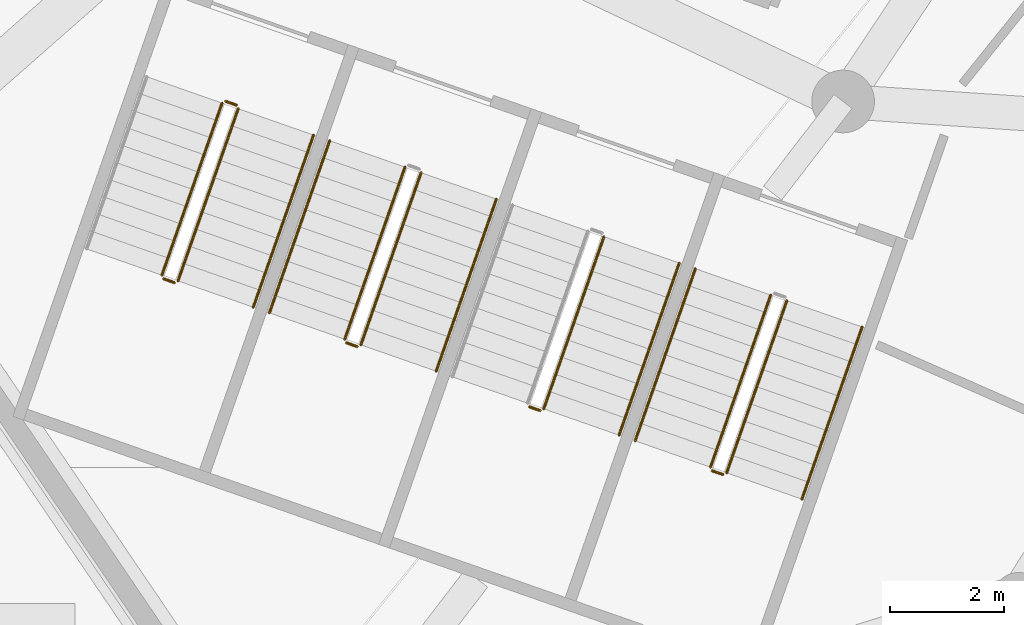
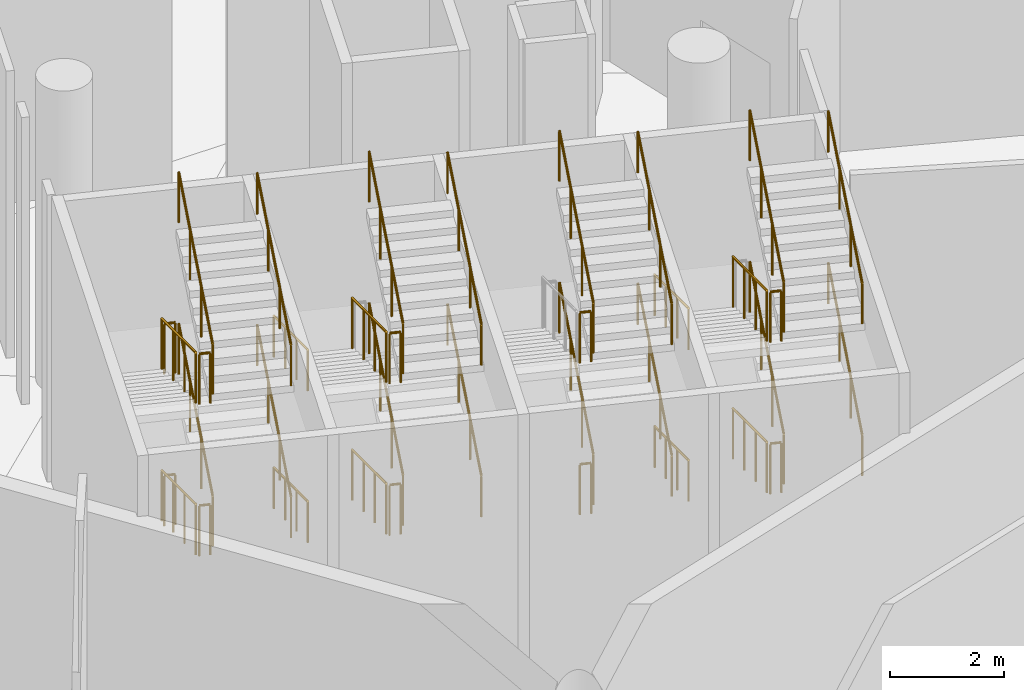
# One storey, part 190 of 255: 36 railings.
"""IFC4 building model written with IfcOpenShell, lengths in metres."""

from ifc_helpers import new_model, si_unit, direction, frame, origin, origin_2d, place, context, subcontext, project, spatial, circle, extrude, material, type_object, element, save


model = new_model("IFC4")

# Units and contexts
model_context = context("Model", 3, precision=1e-05, world=origin(), true_north=direction((0.0, 1.0)))
body_context = subcontext(model_context, "Body", "Model", "MODEL_VIEW")
ifc_project = project(units=[si_unit("LENGTHUNIT", "METRE"), si_unit("AREAUNIT", "SQUARE_METRE"), si_unit("VOLUMEUNIT", "CUBIC_METRE"), si_unit("PLANEANGLEUNIT", "RADIAN"), si_unit("MASSUNIT", "GRAM", prefix="KILO")], contexts=[model_context])

# Site, building, storey
site_placement = place(None, origin())
site = spatial("IfcSite", under=ifc_project, at=site_placement, CompositionType="ELEMENT")
building_placement = place(site_placement, origin())
building = spatial("IfcBuilding", under=site, at=building_placement, Name="Meseta Stadium", CompositionType="ELEMENT")
storey_placement = place(building_placement, origin())
storey = spatial("IfcBuildingStorey", under=building, at=storey_placement, Name="L00", CompositionType="ELEMENT", Elevation=0.0)

# Railings
ifc_material_1 = material(Name="Steel S355", Category="steel")
railing_type_1 = type_object("IfcRailingType", Name="Stair guard 1100", PredefinedType="GUARDRAIL", material=ifc_material_1)
railing_1_placement = place(storey_placement, frame((-65.421630859375, -89.608154296875, 0.147705078125)))
element("IfcRailing", 1, at=railing_1_placement, inside=storey, type_object=railing_type_1, Name="ST85 L00 guard 1", PredefinedType="GUARDRAIL", context=body_context, shape_type="SweptSolid", body=[
    extrude(circle(Radius=0.02392578125, at=origin_2d()), frame((0.0, 0.0, 1.076171875), z_axis=(-0.299858671601, -0.856976550022, 0.419137172986), x_axis=(0.943886898693, -0.330268863922, 0.0)), (0.0, 0.0, 1.0), 3.524658203125),
    extrude(circle(Radius=0.02099609375, at=origin_2d()), origin(), (0.0, 0.0, 1.0), 1.052001953125),
    extrude(circle(Radius=0.02099609375, at=origin_2d()), frame((-0.352294921875, -1.0068359375, 0.492431640625)), (0.0, 0.0, 1.0), 1.052001953125),
    extrude(circle(Radius=0.02099609375, at=origin_2d()), frame((-0.70458984375, -2.013671875, 0.98486328125)), (0.0, 0.0, 1.0), 1.052001953125),
    extrude(circle(Radius=0.02099609375, at=origin_2d()), frame((-1.056884765625, -3.0205078125, 1.477294921875)), (0.0, 0.0, 1.0), 1.052001953125),
])
railing_2_placement = place(storey_placement, frame((-66.44775390625, -92.692138671875, 1.625)))
element("IfcRailing", 2, at=railing_2_placement, inside=storey, type_object=railing_type_1, Name="ST85 L00 guard 2", PredefinedType="GUARDRAIL", context=body_context, shape_type="SweptSolid", body=[
    extrude(circle(Radius=0.02392578125, at=origin_2d()), frame((0.0, 0.0, 1.076171875), z_axis=(0.943686935281, -0.330839792317, 0.0), x_axis=(0.330839792317, 0.943686935281, 0.0)), (0.0, 0.0, 1.0), 0.199951171875),
    extrude(circle(Radius=0.02099609375, at=origin_2d()), origin(), (0.0, 0.0, 1.0), 1.052001953125),
    extrude(circle(Radius=0.02099609375, at=origin_2d()), frame((0.188720703125, -0.066162109375, 0.0)), (0.0, 0.0, 1.0), 1.052001953125),
])
railing_3_placement = place(storey_placement, frame((-66.1953125, -92.7275390625, 1.772705078125)))
element("IfcRailing", 3, at=railing_3_placement, inside=storey, type_object=railing_type_1, Name="ST85 L00 guard 3", PredefinedType="GUARDRAIL", context=body_context, shape_type="SweptSolid", body=[
    extrude(circle(Radius=0.02392578125, at=origin_2d()), frame((0.0, 0.0, 1.076171875), z_axis=(0.299876472244, 0.856958151566, 0.419162054412), x_axis=(-0.943878576031, 0.330292648585, 0.0)), (0.0, 0.0, 1.0), 3.5244140625),
    extrude(circle(Radius=0.02099609375, at=origin_2d()), origin(), (0.0, 0.0, 1.0), 1.052001953125),
    extrude(circle(Radius=0.02099609375, at=origin_2d()), frame((0.352294921875, 1.0068359375, 0.492431640625)), (0.0, 0.0, 1.0), 1.052001953125),
    extrude(circle(Radius=0.02099609375, at=origin_2d()), frame((0.70458984375, 2.013427734375, 0.98486328125)), (0.0, 0.0, 1.0), 1.052001953125),
    extrude(circle(Radius=0.02099609375, at=origin_2d()), frame((1.056884765625, 3.020263671875, 1.477294921875)), (0.0, 0.0, 1.0), 1.052001953125),
])
railing_4_placement = place(storey_placement, frame((-65.35791015625, -89.577392578125, 3.25)))
element("IfcRailing", 4, at=railing_4_placement, inside=storey, type_object=railing_type_1, Name="ST85 L00 guard 4", PredefinedType="GUARDRAIL", context=body_context, shape_type="SweptSolid", body=[
    extrude(circle(Radius=0.02392578125, at=origin_2d()), frame((0.0, 0.0, 1.076171875), z_axis=(0.943686935281, -0.330839792317, 0.0), x_axis=(0.330839792317, 0.943686935281, 0.0)), (0.0, 0.0, 1.0), 0.199951171875),
    extrude(circle(Radius=0.02099609375, at=origin_2d()), origin(), (0.0, 0.0, 1.0), 1.052001953125),
    extrude(circle(Radius=0.02099609375, at=origin_2d()), frame((0.188720703125, -0.066162109375, 0.0)), (0.0, 0.0, 1.0), 1.052001953125),
])
railing_5_placement = place(storey_placement, frame((-65.421630859375, -89.608154296875, 3.397705078125)))
element("IfcRailing", 5, at=railing_5_placement, inside=storey, type_object=railing_type_1, Name="ST85 L00 guard 5", PredefinedType="GUARDRAIL", context=body_context, shape_type="SweptSolid", body=[
    extrude(circle(Radius=0.02392578125, at=origin_2d()), frame((0.0, 0.0, 1.076171875), z_axis=(-0.299858671601, -0.856976550022, 0.419137172986), x_axis=(0.943886898693, -0.330268863922, 0.0)), (0.0, 0.0, 1.0), 3.524658203125),
    extrude(circle(Radius=0.02099609375, at=origin_2d()), origin(), (0.0, 0.0, 1.0), 1.052001953125),
    extrude(circle(Radius=0.02099609375, at=origin_2d()), frame((-0.352294921875, -1.0068359375, 0.492431640625)), (0.0, 0.0, 1.0), 1.052001953125),
    extrude(circle(Radius=0.02099609375, at=origin_2d()), frame((-0.70458984375, -2.013671875, 0.98486328125)), (0.0, 0.0, 1.0), 1.052001953125),
    extrude(circle(Radius=0.02099609375, at=origin_2d()), frame((-1.056884765625, -3.0205078125, 1.477294921875)), (0.0, 0.0, 1.0), 1.052001953125),
])
railing_6_placement = place(storey_placement, frame((-66.44775390625, -92.692138671875, 4.875)))
element("IfcRailing", 6, at=railing_6_placement, inside=storey, type_object=railing_type_1, Name="ST85 L00 guard 6", PredefinedType="GUARDRAIL", context=body_context, shape_type="SweptSolid", body=[
    extrude(circle(Radius=0.02392578125, at=origin_2d()), frame((0.0, 0.0, 1.076171875), z_axis=(0.943686935281, -0.330839792317, 0.0), x_axis=(0.330839792317, 0.943686935281, 0.0)), (0.0, 0.0, 1.0), 0.199951171875),
    extrude(circle(Radius=0.02099609375, at=origin_2d()), origin(), (0.0, 0.0, 1.0), 1.052001953125),
    extrude(circle(Radius=0.02099609375, at=origin_2d()), frame((0.188720703125, -0.066162109375, 0.0)), (0.0, 0.0, 1.0), 1.052001953125),
])
railing_7_placement = place(storey_placement, frame((-66.1953125, -92.7275390625, 5.022705078125)))
element("IfcRailing", 7, at=railing_7_placement, inside=storey, type_object=railing_type_1, Name="ST85 L00 guard 7", PredefinedType="GUARDRAIL", context=body_context, shape_type="SweptSolid", body=[
    extrude(circle(Radius=0.02392578125, at=origin_2d()), frame((0.0, 0.0, 1.076171875), z_axis=(0.299876472244, 0.856958151566, 0.419162054412), x_axis=(-0.943878576031, 0.330292648585, 0.0)), (0.0, 0.0, 1.0), 3.5244140625),
    extrude(circle(Radius=0.02099609375, at=origin_2d()), origin(), (0.0, 0.0, 1.0), 1.052001953125),
    extrude(circle(Radius=0.02099609375, at=origin_2d()), frame((0.352294921875, 1.0068359375, 0.492431640625)), (0.0, 0.0, 1.0), 1.052001953125),
    extrude(circle(Radius=0.02099609375, at=origin_2d()), frame((0.70458984375, 2.013427734375, 0.98486328125)), (0.0, 0.0, 1.0), 1.052001953125),
    extrude(circle(Radius=0.02099609375, at=origin_2d()), frame((1.056884765625, 3.020263671875, 1.477294921875)), (0.0, 0.0, 1.0), 1.052001953125),
])
railing_8_placement = place(storey_placement, frame((-65.35791015625, -89.577392578125, 0.0)))
element("IfcRailing", 8, at=railing_8_placement, inside=storey, type_object=railing_type_1, Name="ST85 L00 guard 8", PredefinedType="GUARDRAIL", context=body_context, shape_type="SweptSolid", body=[
    extrude(circle(Radius=0.02392578125, at=origin_2d()), frame((0.0, 0.0, 1.076171875), z_axis=(0.943686935281, -0.330839792317, 0.0), x_axis=(0.330839792317, 0.943686935281, 0.0)), (0.0, 0.0, 1.0), 0.199951171875),
    extrude(circle(Radius=0.02099609375, at=origin_2d()), origin(), (0.0, 0.0, 1.0), 1.052001953125),
    extrude(circle(Radius=0.02099609375, at=origin_2d()), frame((0.188720703125, -0.066162109375, 0.0)), (0.0, 0.0, 1.0), 1.052001953125),
])
railing_9_placement = place(storey_placement, frame((-62.21240234375, -90.73095703125, 0.147705078125)))
element("IfcRailing", 9, at=railing_9_placement, inside=storey, type_object=railing_type_1, Name="ST86 L00 guard 1", PredefinedType="GUARDRAIL", context=body_context, shape_type="SweptSolid", body=[
    extrude(circle(Radius=0.02392578125, at=origin_2d()), frame((0.0, 0.0, 1.076171875), z_axis=(-0.299858671601, -0.856976550022, 0.419137172986), x_axis=(0.943886898693, -0.330268863922, 0.0)), (0.0, 0.0, 1.0), 3.524658203125),
    extrude(circle(Radius=0.02099609375, at=origin_2d()), origin(), (0.0, 0.0, 1.0), 1.052001953125),
    extrude(circle(Radius=0.02099609375, at=origin_2d()), frame((-0.352294921875, -1.0068359375, 0.492431640625)), (0.0, 0.0, 1.0), 1.052001953125),
    extrude(circle(Radius=0.02099609375, at=origin_2d()), frame((-0.70458984375, -2.013671875, 0.98486328125)), (0.0, 0.0, 1.0), 1.052001953125),
    extrude(circle(Radius=0.02099609375, at=origin_2d()), frame((-1.056884765625, -3.0205078125, 1.477294921875)), (0.0, 0.0, 1.0), 1.052001953125),
])
railing_10_placement = place(storey_placement, frame((-63.238525390625, -93.815185546875, 1.625)))
element("IfcRailing", 10, at=railing_10_placement, inside=storey, type_object=railing_type_1, Name="ST86 L00 guard 2", PredefinedType="GUARDRAIL", context=body_context, shape_type="SweptSolid", body=[
    extrude(circle(Radius=0.02392578125, at=origin_2d()), frame((0.0, 0.0, 1.076171875), z_axis=(0.943686935281, -0.330839792317, 0.0), x_axis=(0.330839792317, 0.943686935281, 0.0)), (0.0, 0.0, 1.0), 0.199951171875),
    extrude(circle(Radius=0.02099609375, at=origin_2d()), origin(), (0.0, 0.0, 1.0), 1.052001953125),
    extrude(circle(Radius=0.02099609375, at=origin_2d()), frame((0.188720703125, -0.066162109375, 0.0)), (0.0, 0.0, 1.0), 1.052001953125),
])
railing_11_placement = place(storey_placement, frame((-62.986083984375, -93.8505859375, 1.772705078125)))
element("IfcRailing", 11, at=railing_11_placement, inside=storey, type_object=railing_type_1, Name="ST86 L00 guard 3", PredefinedType="GUARDRAIL", context=body_context, shape_type="SweptSolid", body=[
    extrude(circle(Radius=0.02392578125, at=origin_2d()), frame((0.0, 0.0, 1.076171875), z_axis=(0.299858671601, 0.856976550022, 0.419137172986), x_axis=(-0.943886898693, 0.330268863922, 0.0)), (0.0, 0.0, 1.0), 3.524658203125),
    extrude(circle(Radius=0.02099609375, at=origin_2d()), origin(), (0.0, 0.0, 1.0), 1.052001953125),
    extrude(circle(Radius=0.02099609375, at=origin_2d()), frame((0.352294921875, 1.0068359375, 0.492431640625)), (0.0, 0.0, 1.0), 1.052001953125),
    extrude(circle(Radius=0.02099609375, at=origin_2d()), frame((0.70458984375, 2.013671875, 0.98486328125)), (0.0, 0.0, 1.0), 1.052001953125),
    extrude(circle(Radius=0.02099609375, at=origin_2d()), frame((1.056884765625, 3.0205078125, 1.477294921875)), (0.0, 0.0, 1.0), 1.052001953125),
])
railing_12_placement = place(storey_placement, frame((-62.21240234375, -90.73095703125, 3.397705078125)))
element("IfcRailing", 12, at=railing_12_placement, inside=storey, type_object=railing_type_1, Name="ST86 L00 guard 5", PredefinedType="GUARDRAIL", context=body_context, shape_type="SweptSolid", body=[
    extrude(circle(Radius=0.02392578125, at=origin_2d()), frame((0.0, 0.0, 1.076171875), z_axis=(-0.299858671601, -0.856976550022, 0.419137172986), x_axis=(0.943886898693, -0.330268863922, 0.0)), (0.0, 0.0, 1.0), 3.524658203125),
    extrude(circle(Radius=0.02099609375, at=origin_2d()), origin(), (0.0, 0.0, 1.0), 1.052001953125),
    extrude(circle(Radius=0.02099609375, at=origin_2d()), frame((-0.352294921875, -1.0068359375, 0.492431640625)), (0.0, 0.0, 1.0), 1.052001953125),
    extrude(circle(Radius=0.02099609375, at=origin_2d()), frame((-0.70458984375, -2.013671875, 0.98486328125)), (0.0, 0.0, 1.0), 1.052001953125),
    extrude(circle(Radius=0.02099609375, at=origin_2d()), frame((-1.056884765625, -3.0205078125, 1.477294921875)), (0.0, 0.0, 1.0), 1.052001953125),
])
railing_13_placement = place(storey_placement, frame((-63.238525390625, -93.815185546875, 4.875)))
element("IfcRailing", 13, at=railing_13_placement, inside=storey, type_object=railing_type_1, Name="ST86 L00 guard 6", PredefinedType="GUARDRAIL", context=body_context, shape_type="SweptSolid", body=[
    extrude(circle(Radius=0.02392578125, at=origin_2d()), frame((0.0, 0.0, 1.076171875), z_axis=(0.943686935281, -0.330839792317, 0.0), x_axis=(0.330839792317, 0.943686935281, 0.0)), (0.0, 0.0, 1.0), 0.199951171875),
    extrude(circle(Radius=0.02099609375, at=origin_2d()), origin(), (0.0, 0.0, 1.0), 1.052001953125),
    extrude(circle(Radius=0.02099609375, at=origin_2d()), frame((0.188720703125, -0.066162109375, 0.0)), (0.0, 0.0, 1.0), 1.052001953125),
])
railing_14_placement = place(storey_placement, frame((-62.986083984375, -93.8505859375, 5.022705078125)))
element("IfcRailing", 14, at=railing_14_placement, inside=storey, type_object=railing_type_1, Name="ST86 L00 guard 7", PredefinedType="GUARDRAIL", context=body_context, shape_type="SweptSolid", body=[
    extrude(circle(Radius=0.02392578125, at=origin_2d()), frame((0.0, 0.0, 1.076171875), z_axis=(0.299858671601, 0.856976550022, 0.419137172986), x_axis=(-0.943886898693, 0.330268863922, 0.0)), (0.0, 0.0, 1.0), 3.524658203125),
    extrude(circle(Radius=0.02099609375, at=origin_2d()), origin(), (0.0, 0.0, 1.0), 1.052001953125),
    extrude(circle(Radius=0.02099609375, at=origin_2d()), frame((0.352294921875, 1.0068359375, 0.492431640625)), (0.0, 0.0, 1.0), 1.052001953125),
    extrude(circle(Radius=0.02099609375, at=origin_2d()), frame((0.70458984375, 2.013671875, 0.98486328125)), (0.0, 0.0, 1.0), 1.052001953125),
    extrude(circle(Radius=0.02099609375, at=origin_2d()), frame((1.056884765625, 3.0205078125, 1.477294921875)), (0.0, 0.0, 1.0), 1.052001953125),
])
railing_15_placement = place(storey_placement, frame((-60.029296875, -94.938232421875, 1.625)))
element("IfcRailing", 15, at=railing_15_placement, inside=storey, type_object=railing_type_1, Name="ST87 L00 guard 2", PredefinedType="GUARDRAIL", context=body_context, shape_type="SweptSolid", body=[
    extrude(circle(Radius=0.02392578125, at=origin_2d()), frame((0.0, 0.0, 1.076171875), z_axis=(0.944067610699, -0.329751946816, 0.0), x_axis=(0.329751946816, 0.944067610699, 0.0)), (0.0, 0.0, 1.0), 0.199951171875),
    extrude(circle(Radius=0.02099609375, at=origin_2d()), origin(), (0.0, 0.0, 1.0), 1.052001953125),
    extrude(circle(Radius=0.02099609375, at=origin_2d()), frame((0.188720703125, -0.06591796875, 0.0)), (0.0, 0.0, 1.0), 1.052001953125),
])
railing_16_placement = place(storey_placement, frame((-59.77685546875, -94.9736328125, 1.772705078125)))
element("IfcRailing", 16, at=railing_16_placement, inside=storey, type_object=railing_type_1, Name="ST87 L00 guard 3", PredefinedType="GUARDRAIL", context=body_context, shape_type="SweptSolid", body=[
    extrude(circle(Radius=0.02392578125, at=origin_2d()), frame((0.0, 0.0, 1.076171875), z_axis=(0.299858671601, 0.856976550022, 0.419137172986), x_axis=(-0.943886898693, 0.330268863922, 0.0)), (0.0, 0.0, 1.0), 3.524658203125),
    extrude(circle(Radius=0.02099609375, at=origin_2d()), origin(), (0.0, 0.0, 1.0), 1.052001953125),
    extrude(circle(Radius=0.02099609375, at=origin_2d()), frame((0.352294921875, 1.0068359375, 0.492431640625)), (0.0, 0.0, 1.0), 1.052001953125),
    extrude(circle(Radius=0.02099609375, at=origin_2d()), frame((0.70458984375, 2.013671875, 0.98486328125)), (0.0, 0.0, 1.0), 1.052001953125),
    extrude(circle(Radius=0.02099609375, at=origin_2d()), frame((1.056884765625, 3.0205078125, 1.477294921875)), (0.0, 0.0, 1.0), 1.052001953125),
])
railing_17_placement = place(storey_placement, frame((-60.029296875, -94.938232421875, 4.875)))
element("IfcRailing", 17, at=railing_17_placement, inside=storey, type_object=railing_type_1, Name="ST87 L00 guard 6", PredefinedType="GUARDRAIL", context=body_context, shape_type="SweptSolid", body=[
    extrude(circle(Radius=0.02392578125, at=origin_2d()), frame((0.0, 0.0, 1.076171875), z_axis=(0.944067610699, -0.329751946816, 0.0), x_axis=(0.329751946816, 0.944067610699, 0.0)), (0.0, 0.0, 1.0), 0.199951171875),
    extrude(circle(Radius=0.02099609375, at=origin_2d()), origin(), (0.0, 0.0, 1.0), 1.052001953125),
    extrude(circle(Radius=0.02099609375, at=origin_2d()), frame((0.188720703125, -0.06591796875, 0.0)), (0.0, 0.0, 1.0), 1.052001953125),
])
railing_18_placement = place(storey_placement, frame((-59.77685546875, -94.9736328125, 5.022705078125)))
element("IfcRailing", 18, at=railing_18_placement, inside=storey, type_object=railing_type_1, Name="ST87 L00 guard 7", PredefinedType="GUARDRAIL", context=body_context, shape_type="SweptSolid", body=[
    extrude(circle(Radius=0.02392578125, at=origin_2d()), frame((0.0, 0.0, 1.076171875), z_axis=(0.299858671601, 0.856976550022, 0.419137172986), x_axis=(-0.943886898693, 0.330268863922, 0.0)), (0.0, 0.0, 1.0), 3.524658203125),
    extrude(circle(Radius=0.02099609375, at=origin_2d()), origin(), (0.0, 0.0, 1.0), 1.052001953125),
    extrude(circle(Radius=0.02099609375, at=origin_2d()), frame((0.352294921875, 1.0068359375, 0.492431640625)), (0.0, 0.0, 1.0), 1.052001953125),
    extrude(circle(Radius=0.02099609375, at=origin_2d()), frame((0.70458984375, 2.013671875, 0.98486328125)), (0.0, 0.0, 1.0), 1.052001953125),
    extrude(circle(Radius=0.02099609375, at=origin_2d()), frame((1.056884765625, 3.0205078125, 1.477294921875)), (0.0, 0.0, 1.0), 1.052001953125),
])
railing_19_placement = place(storey_placement, frame((-55.7939453125, -92.97705078125, 0.147705078125)))
element("IfcRailing", 19, at=railing_19_placement, inside=storey, type_object=railing_type_1, Name="ST88 L00 guard 1", PredefinedType="GUARDRAIL", context=body_context, shape_type="SweptSolid", body=[
    extrude(circle(Radius=0.02392578125, at=origin_2d()), frame((0.0, 0.0, 1.076171875), z_axis=(-0.299876472244, -0.856958151566, 0.419162054412), x_axis=(0.943878576031, -0.330292648585, 0.0)), (0.0, 0.0, 1.0), 3.5244140625),
    extrude(circle(Radius=0.02099609375, at=origin_2d()), origin(), (0.0, 0.0, 1.0), 1.052001953125),
    extrude(circle(Radius=0.02099609375, at=origin_2d()), frame((-0.352294921875, -1.0068359375, 0.492431640625)), (0.0, 0.0, 1.0), 1.052001953125),
    extrude(circle(Radius=0.02099609375, at=origin_2d()), frame((-0.70458984375, -2.013427734375, 0.98486328125)), (0.0, 0.0, 1.0), 1.052001953125),
    extrude(circle(Radius=0.02099609375, at=origin_2d()), frame((-1.056884765625, -3.020263671875, 1.477294921875)), (0.0, 0.0, 1.0), 1.052001953125),
])
railing_20_placement = place(storey_placement, frame((-56.8203125, -96.06103515625, 1.625)))
element("IfcRailing", 20, at=railing_20_placement, inside=storey, type_object=railing_type_1, Name="ST88 L00 guard 2", PredefinedType="GUARDRAIL", context=body_context, shape_type="SweptSolid", body=[
    extrude(circle(Radius=0.02392578125, at=origin_2d()), frame((0.0, 0.0, 1.076171875), z_axis=(0.943820328543, -0.330459055601, 0.0), x_axis=(0.330459055601, 0.943820328543, 0.0)), (0.0, 0.0, 1.0), 0.2001953125),
    extrude(circle(Radius=0.02099609375, at=origin_2d()), origin(), (0.0, 0.0, 1.0), 1.052001953125),
    extrude(circle(Radius=0.02099609375, at=origin_2d()), frame((0.18896484375, -0.066162109375, 0.0)), (0.0, 0.0, 1.0), 1.052001953125),
])
railing_21_placement = place(storey_placement, frame((-56.567626953125, -96.096435546875, 1.772705078125)))
element("IfcRailing", 21, at=railing_21_placement, inside=storey, type_object=railing_type_1, Name="ST88 L00 guard 3", PredefinedType="GUARDRAIL", context=body_context, shape_type="SweptSolid", body=[
    extrude(circle(Radius=0.02392578125, at=origin_2d()), frame((0.0, 0.0, 1.076171875), z_axis=(0.299876472244, 0.856958151566, 0.419162054412), x_axis=(-0.943878576031, 0.330292648585, 0.0)), (0.0, 0.0, 1.0), 3.5244140625),
    extrude(circle(Radius=0.02099609375, at=origin_2d()), origin(), (0.0, 0.0, 1.0), 1.052001953125),
    extrude(circle(Radius=0.02099609375, at=origin_2d()), frame((0.352294921875, 1.0068359375, 0.492431640625)), (0.0, 0.0, 1.0), 1.052001953125),
    extrude(circle(Radius=0.02099609375, at=origin_2d()), frame((0.70458984375, 2.013427734375, 0.98486328125)), (0.0, 0.0, 1.0), 1.052001953125),
    extrude(circle(Radius=0.02099609375, at=origin_2d()), frame((1.056884765625, 3.020263671875, 1.477294921875)), (0.0, 0.0, 1.0), 1.052001953125),
])
railing_22_placement = place(storey_placement, frame((-55.7939453125, -92.97705078125, 3.397705078125)))
element("IfcRailing", 22, at=railing_22_placement, inside=storey, type_object=railing_type_1, Name="ST88 L00 guard 5", PredefinedType="GUARDRAIL", context=body_context, shape_type="SweptSolid", body=[
    extrude(circle(Radius=0.02392578125, at=origin_2d()), frame((0.0, 0.0, 1.076171875), z_axis=(-0.299876472244, -0.856958151566, 0.419162054412), x_axis=(0.943878576031, -0.330292648585, 0.0)), (0.0, 0.0, 1.0), 3.5244140625),
    extrude(circle(Radius=0.02099609375, at=origin_2d()), origin(), (0.0, 0.0, 1.0), 1.052001953125),
    extrude(circle(Radius=0.02099609375, at=origin_2d()), frame((-0.352294921875, -1.0068359375, 0.492431640625)), (0.0, 0.0, 1.0), 1.052001953125),
    extrude(circle(Radius=0.02099609375, at=origin_2d()), frame((-0.70458984375, -2.013427734375, 0.98486328125)), (0.0, 0.0, 1.0), 1.052001953125),
    extrude(circle(Radius=0.02099609375, at=origin_2d()), frame((-1.056884765625, -3.020263671875, 1.477294921875)), (0.0, 0.0, 1.0), 1.052001953125),
])
railing_23_placement = place(storey_placement, frame((-56.8203125, -96.06103515625, 4.875)))
element("IfcRailing", 23, at=railing_23_placement, inside=storey, type_object=railing_type_1, Name="ST88 L00 guard 6", PredefinedType="GUARDRAIL", context=body_context, shape_type="SweptSolid", body=[
    extrude(circle(Radius=0.02392578125, at=origin_2d()), frame((0.0, 0.0, 1.076171875), z_axis=(0.943820328543, -0.330459055601, 0.0), x_axis=(0.330459055601, 0.943820328543, 0.0)), (0.0, 0.0, 1.0), 0.2001953125),
    extrude(circle(Radius=0.02099609375, at=origin_2d()), origin(), (0.0, 0.0, 1.0), 1.052001953125),
    extrude(circle(Radius=0.02099609375, at=origin_2d()), frame((0.18896484375, -0.066162109375, 0.0)), (0.0, 0.0, 1.0), 1.052001953125),
])
railing_24_placement = place(storey_placement, frame((-56.567626953125, -96.096435546875, 5.022705078125)))
element("IfcRailing", 24, at=railing_24_placement, inside=storey, type_object=railing_type_1, Name="ST88 L00 guard 7", PredefinedType="GUARDRAIL", context=body_context, shape_type="SweptSolid", body=[
    extrude(circle(Radius=0.02392578125, at=origin_2d()), frame((0.0, 0.0, 1.076171875), z_axis=(0.299876472244, 0.856958151566, 0.419162054412), x_axis=(-0.943878576031, 0.330292648585, 0.0)), (0.0, 0.0, 1.0), 3.5244140625),
    extrude(circle(Radius=0.02099609375, at=origin_2d()), origin(), (0.0, 0.0, 1.0), 1.052001953125),
    extrude(circle(Radius=0.02099609375, at=origin_2d()), frame((0.352294921875, 1.0068359375, 0.492431640625)), (0.0, 0.0, 1.0), 1.052001953125),
    extrude(circle(Radius=0.02099609375, at=origin_2d()), frame((0.70458984375, 2.013427734375, 0.98486328125)), (0.0, 0.0, 1.0), 1.052001953125),
    extrude(circle(Radius=0.02099609375, at=origin_2d()), frame((1.056884765625, 3.020263671875, 1.477294921875)), (0.0, 0.0, 1.0), 1.052001953125),
])
ifc_material_2 = material(Name="Steel S355", Category="steel")
railing_type_2 = type_object("IfcRailingType", Name="Stair handrail 900", PredefinedType="HANDRAIL", material=ifc_material_2)
for number, where, name in (
    (25, (-64.8740234375, -93.18994140625, 1.772705078125), "ST85 L00 handrail 2"),
    (26, (-64.8740234375, -93.18994140625, 5.022705078125), "ST85 L00 handrail 4"),
):
    element("IfcRailing", number, at=place(storey_placement, frame(where)), inside=storey, type_object=railing_type_2, Name=name, PredefinedType="HANDRAIL", context=body_context, shape_type="SweptSolid", body=[
        extrude(circle(Radius=0.02392578125, at=origin_2d()), frame((0.0, 0.0, 0.8759765625), z_axis=(0.299939512509, 0.856940348556, 0.419153346465), x_axis=(-0.943854787913, 0.330360620133, 0.0)), (0.0, 0.0, 1.0), 3.5244140625),
        extrude(circle(Radius=0.02099609375, at=origin_2d()), origin(), (0.0, 0.0, 1.0), 0.851806640625),
        extrude(circle(Radius=0.02099609375, at=origin_2d()), frame((0.352294921875, 1.0068359375, 0.492431640625)), (0.0, 0.0, 1.0), 0.851806640625),
        extrude(circle(Radius=0.02099609375, at=origin_2d()), frame((0.704833984375, 2.013427734375, 0.98486328125)), (0.0, 0.0, 1.0), 0.851806640625),
        extrude(circle(Radius=0.02099609375, at=origin_2d()), frame((1.05712890625, 3.020263671875, 1.477294921875)), (0.0, 0.0, 1.0), 0.851806640625),
    ])
railing_25_placement = place(storey_placement, frame((-63.533935546875, -90.268798828125, 0.147705078125)))
element("IfcRailing", 27, at=railing_25_placement, inside=storey, type_object=railing_type_2, Name="ST86 L00 handrail 1", PredefinedType="HANDRAIL", context=body_context, shape_type="SweptSolid", body=[
    extrude(circle(Radius=0.02392578125, at=origin_2d()), frame((0.0, 0.0, 0.8759765625), z_axis=(-0.299876472244, -0.856958151566, 0.419162054412), x_axis=(0.943878576031, -0.330292648585, 0.0)), (0.0, 0.0, 1.0), 3.5244140625),
    extrude(circle(Radius=0.02099609375, at=origin_2d()), origin(), (0.0, 0.0, 1.0), 0.851806640625),
    extrude(circle(Radius=0.02099609375, at=origin_2d()), frame((-0.352294921875, -1.0068359375, 0.492431640625)), (0.0, 0.0, 1.0), 0.851806640625),
    extrude(circle(Radius=0.02099609375, at=origin_2d()), frame((-0.70458984375, -2.013427734375, 0.98486328125)), (0.0, 0.0, 1.0), 0.851806640625),
    extrude(circle(Radius=0.02099609375, at=origin_2d()), frame((-1.056884765625, -3.020263671875, 1.477294921875)), (0.0, 0.0, 1.0), 0.851806640625),
])
railing_26_placement = place(storey_placement, frame((-61.664794921875, -94.31298828125, 1.772705078125)))
element("IfcRailing", 28, at=railing_26_placement, inside=storey, type_object=railing_type_2, Name="ST86 L00 handrail 2", PredefinedType="HANDRAIL", context=body_context, shape_type="SweptSolid", body=[
    extrude(circle(Radius=0.02392578125, at=origin_2d()), frame((0.0, 0.0, 0.8759765625), z_axis=(0.299858671601, 0.856976550022, 0.419137172986), x_axis=(-0.943886898693, 0.330268863922, 0.0)), (0.0, 0.0, 1.0), 3.524658203125),
    extrude(circle(Radius=0.02099609375, at=origin_2d()), origin(), (0.0, 0.0, 1.0), 0.851806640625),
    extrude(circle(Radius=0.02099609375, at=origin_2d()), frame((0.352294921875, 1.0068359375, 0.492431640625)), (0.0, 0.0, 1.0), 0.851806640625),
    extrude(circle(Radius=0.02099609375, at=origin_2d()), frame((0.70458984375, 2.013671875, 0.98486328125)), (0.0, 0.0, 1.0), 0.851806640625),
    extrude(circle(Radius=0.02099609375, at=origin_2d()), frame((1.056884765625, 3.0205078125, 1.477294921875)), (0.0, 0.0, 1.0), 0.851806640625),
])
railing_27_placement = place(storey_placement, frame((-63.533935546875, -90.268798828125, 3.397705078125)))
element("IfcRailing", 29, at=railing_27_placement, inside=storey, type_object=railing_type_2, Name="ST86 L00 handrail 3", PredefinedType="HANDRAIL", context=body_context, shape_type="SweptSolid", body=[
    extrude(circle(Radius=0.02392578125, at=origin_2d()), frame((0.0, 0.0, 0.8759765625), z_axis=(-0.299876472244, -0.856958151566, 0.419162054412), x_axis=(0.943878576031, -0.330292648585, 0.0)), (0.0, 0.0, 1.0), 3.5244140625),
    extrude(circle(Radius=0.02099609375, at=origin_2d()), origin(), (0.0, 0.0, 1.0), 0.851806640625),
    extrude(circle(Radius=0.02099609375, at=origin_2d()), frame((-0.352294921875, -1.0068359375, 0.492431640625)), (0.0, 0.0, 1.0), 0.851806640625),
    extrude(circle(Radius=0.02099609375, at=origin_2d()), frame((-0.70458984375, -2.013427734375, 0.98486328125)), (0.0, 0.0, 1.0), 0.851806640625),
    extrude(circle(Radius=0.02099609375, at=origin_2d()), frame((-1.056884765625, -3.020263671875, 1.477294921875)), (0.0, 0.0, 1.0), 0.851806640625),
])
for number, where, name in (
    (30, (-61.664794921875, -94.31298828125, 5.022705078125), "ST86 L00 handrail 4"),
    (31, (-58.45556640625, -95.43603515625, 1.772705078125), "ST87 L00 handrail 2"),
    (32, (-58.45556640625, -95.43603515625, 5.022705078125), "ST87 L00 handrail 4"),
):
    element("IfcRailing", number, at=place(storey_placement, frame(where)), inside=storey, type_object=railing_type_2, Name=name, PredefinedType="HANDRAIL", context=body_context, shape_type="SweptSolid", body=[
        extrude(circle(Radius=0.02392578125, at=origin_2d()), frame((0.0, 0.0, 0.8759765625), z_axis=(0.299858671601, 0.856976550022, 0.419137172986), x_axis=(-0.943886898693, 0.330268863922, 0.0)), (0.0, 0.0, 1.0), 3.524658203125),
        extrude(circle(Radius=0.02099609375, at=origin_2d()), origin(), (0.0, 0.0, 1.0), 0.851806640625),
        extrude(circle(Radius=0.02099609375, at=origin_2d()), frame((0.352294921875, 1.0068359375, 0.492431640625)), (0.0, 0.0, 1.0), 0.851806640625),
        extrude(circle(Radius=0.02099609375, at=origin_2d()), frame((0.70458984375, 2.013671875, 0.98486328125)), (0.0, 0.0, 1.0), 0.851806640625),
        extrude(circle(Radius=0.02099609375, at=origin_2d()), frame((1.056884765625, 3.0205078125, 1.477294921875)), (0.0, 0.0, 1.0), 0.851806640625),
    ])
railing_28_placement = place(storey_placement, frame((-57.115478515625, -92.5146484375, 0.147705078125)))
element("IfcRailing", 33, at=railing_28_placement, inside=storey, type_object=railing_type_2, Name="ST88 L00 handrail 1", PredefinedType="HANDRAIL", context=body_context, shape_type="SweptSolid", body=[
    extrude(circle(Radius=0.02392578125, at=origin_2d()), frame((0.0, 0.0, 0.8759765625), z_axis=(-0.299876472244, -0.856958151566, 0.419162054412), x_axis=(0.943878576031, -0.330292648585, 0.0)), (0.0, 0.0, 1.0), 3.5244140625),
    extrude(circle(Radius=0.02099609375, at=origin_2d()), origin(), (0.0, 0.0, 1.0), 0.851806640625),
    extrude(circle(Radius=0.02099609375, at=origin_2d()), frame((-0.352294921875, -1.0068359375, 0.492431640625)), (0.0, 0.0, 1.0), 0.851806640625),
    extrude(circle(Radius=0.02099609375, at=origin_2d()), frame((-0.70458984375, -2.013427734375, 0.98486328125)), (0.0, 0.0, 1.0), 0.851806640625),
    extrude(circle(Radius=0.02099609375, at=origin_2d()), frame((-1.056884765625, -3.020263671875, 1.477294921875)), (0.0, 0.0, 1.0), 0.851806640625),
])
railing_29_placement = place(storey_placement, frame((-55.246337890625, -96.558837890625, 1.772705078125)))
element("IfcRailing", 34, at=railing_29_placement, inside=storey, type_object=railing_type_2, Name="ST88 L00 handrail 2", PredefinedType="HANDRAIL", context=body_context, shape_type="SweptSolid", body=[
    extrude(circle(Radius=0.02392578125, at=origin_2d()), frame((0.0, 0.0, 0.8759765625), z_axis=(0.299858671601, 0.856976550022, 0.419137172986), x_axis=(-0.943886898693, 0.330268863922, 0.0)), (0.0, 0.0, 1.0), 3.524658203125),
    extrude(circle(Radius=0.02099609375, at=origin_2d()), origin(), (0.0, 0.0, 1.0), 0.851806640625),
    extrude(circle(Radius=0.02099609375, at=origin_2d()), frame((0.352294921875, 1.0068359375, 0.492431640625)), (0.0, 0.0, 1.0), 0.851806640625),
    extrude(circle(Radius=0.02099609375, at=origin_2d()), frame((0.70458984375, 2.013671875, 0.98486328125)), (0.0, 0.0, 1.0), 0.851806640625),
    extrude(circle(Radius=0.02099609375, at=origin_2d()), frame((1.056884765625, 3.0205078125, 1.477294921875)), (0.0, 0.0, 1.0), 0.851806640625),
])
railing_30_placement = place(storey_placement, frame((-57.115478515625, -92.5146484375, 3.397705078125)))
element("IfcRailing", 35, at=railing_30_placement, inside=storey, type_object=railing_type_2, Name="ST88 L00 handrail 3", PredefinedType="HANDRAIL", context=body_context, shape_type="SweptSolid", body=[
    extrude(circle(Radius=0.02392578125, at=origin_2d()), frame((0.0, 0.0, 0.8759765625), z_axis=(-0.299876472244, -0.856958151566, 0.419162054412), x_axis=(0.943878576031, -0.330292648585, 0.0)), (0.0, 0.0, 1.0), 3.5244140625),
    extrude(circle(Radius=0.02099609375, at=origin_2d()), origin(), (0.0, 0.0, 1.0), 0.851806640625),
    extrude(circle(Radius=0.02099609375, at=origin_2d()), frame((-0.352294921875, -1.0068359375, 0.492431640625)), (0.0, 0.0, 1.0), 0.851806640625),
    extrude(circle(Radius=0.02099609375, at=origin_2d()), frame((-0.70458984375, -2.013427734375, 0.98486328125)), (0.0, 0.0, 1.0), 0.851806640625),
    extrude(circle(Radius=0.02099609375, at=origin_2d()), frame((-1.056884765625, -3.020263671875, 1.477294921875)), (0.0, 0.0, 1.0), 0.851806640625),
])
railing_31_placement = place(storey_placement, frame((-55.246337890625, -96.558837890625, 5.022705078125)))
element("IfcRailing", 36, at=railing_31_placement, inside=storey, type_object=railing_type_2, Name="ST88 L00 handrail 4", PredefinedType="HANDRAIL", context=body_context, shape_type="SweptSolid", body=[
    extrude(circle(Radius=0.02392578125, at=origin_2d()), frame((0.0, 0.0, 0.8759765625), z_axis=(0.299858671601, 0.856976550022, 0.419137172986), x_axis=(-0.943886898693, 0.330268863922, 0.0)), (0.0, 0.0, 1.0), 3.524658203125),
    extrude(circle(Radius=0.02099609375, at=origin_2d()), origin(), (0.0, 0.0, 1.0), 0.851806640625),
    extrude(circle(Radius=0.02099609375, at=origin_2d()), frame((0.352294921875, 1.0068359375, 0.492431640625)), (0.0, 0.0, 1.0), 0.851806640625),
    extrude(circle(Radius=0.02099609375, at=origin_2d()), frame((0.70458984375, 2.013671875, 0.98486328125)), (0.0, 0.0, 1.0), 0.851806640625),
    extrude(circle(Radius=0.02099609375, at=origin_2d()), frame((1.056884765625, 3.0205078125, 1.477294921875)), (0.0, 0.0, 1.0), 0.851806640625),
])

save(model, "model.ifc")
